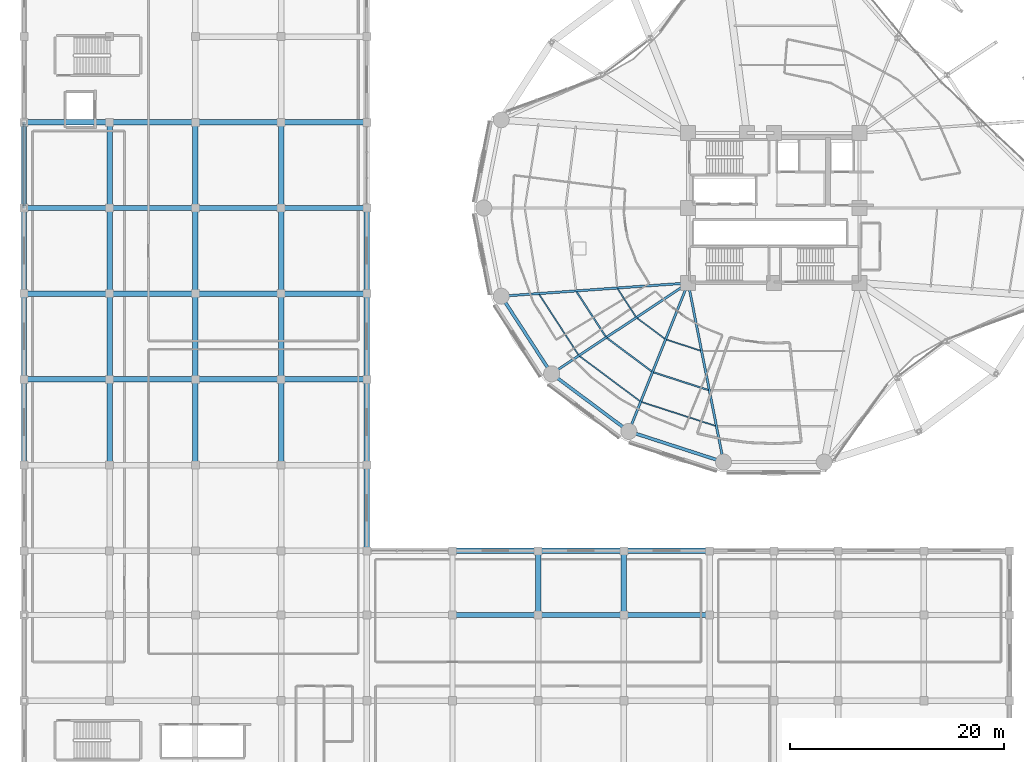
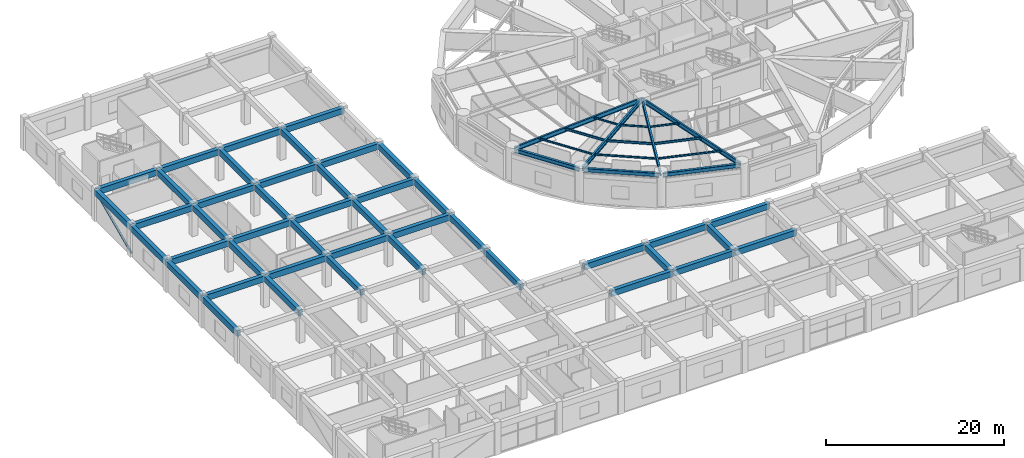
# One storey, part 11 of 53: 60 beams, 1 member.
"""IFC4 building model written with IfcOpenShell, lengths in metres."""

from ifc_helpers import new_model, si_unit, direction, frame, origin, origin_2d, place, context, subcontext, project, spatial, rectangle, hollow_circle, i_section, extrude, material, material_profile, profile_set, type_object, element, save


model = new_model("IFC4")

# Units and contexts
model_context = context("Model", 3, precision=1e-05, world=origin(), true_north=direction((0.0, 1.0)))
body_context = subcontext(model_context, "Body", "Model", "MODEL_VIEW")
ifc_project = project(units=[si_unit("LENGTHUNIT", "METRE"), si_unit("AREAUNIT", "SQUARE_METRE"), si_unit("VOLUMEUNIT", "CUBIC_METRE"), si_unit("PLANEANGLEUNIT", "RADIAN"), si_unit("MASSUNIT", "GRAM", prefix="KILO")], contexts=[model_context])

# Site, building, storey
site_placement = place(None, origin())
site = spatial("IfcSite", under=ifc_project, at=site_placement, CompositionType="ELEMENT")
building_placement = place(site_placement, origin())
building = spatial("IfcBuilding", under=site, at=building_placement, Name="Kelanora Arch Commons", CompositionType="ELEMENT")
storey_placement = place(building_placement, frame((0.0, 0.0, 9.0)))
storey = spatial("IfcBuildingStorey", under=building, at=storey_placement, Name="L02", CompositionType="ELEMENT", Elevation=9.0)

# Beams
ifc_material_1 = material(Name="Steel S355", Category="steel")
ifc_material_profile_1 = material_profile(ifc_material_1, i_section(OverallWidth=0.14990234375, OverallDepth=0.300048828125, WebThickness=0.007080078125, FlangeThickness=0.0107421875, FilletRadius=0.014892578125, at=origin_2d()), Name="IPE300")
ifc_profile_set_1 = profile_set([ifc_material_profile_1], Name="Steel S355")
beam_type_1 = type_object("IfcBeamType", Name="BM-JST-01", PredefinedType="JOIST", material=ifc_profile_set_1)
beam_1_placement = place(storey_placement, frame((55.578125, 50.187255859375, 3.949951171875), z_axis=(0.544551588245, -0.838727350061, 0.0), x_axis=(0.838727350061, 0.544551588245, 0.0)))
element("IfcBeam", 1, at=beam_1_placement, inside=storey, type_object=beam_type_1, Name="Secondary Chord Joist BJB-20 L02", PredefinedType="JOIST", context=body_context, shape_type="SweptSolid", body=[
    extrude(i_section(OverallWidth=0.14990234375, OverallDepth=0.300048828125, WebThickness=0.007080078125, FlangeThickness=0.0107421875, FilletRadius=0.014892578125, at=origin_2d()), origin(), (0.0, 0.0, 1.0), 5.010986328125),
])
beam_2_placement = place(storey_placement, frame((58.42138671875, 45.8623046875, 3.949951171875), z_axis=(0.801478251559, -0.598023922831, 0.0), x_axis=(0.598023922831, 0.801478251559, 0.0)))
element("IfcBeam", 2, at=beam_2_placement, inside=storey, type_object=beam_type_1, Name="Secondary Chord Joist BJB-22 L02", PredefinedType="JOIST", context=body_context, shape_type="SweptSolid", body=[
    extrude(i_section(OverallWidth=0.14990234375, OverallDepth=0.300048828125, WebThickness=0.007080078125, FlangeThickness=0.0107421875, FilletRadius=0.014892578125, at=origin_2d()), origin(), (0.0, 0.0, 1.0), 5.223388671875),
])
beam_3_placement = place(storey_placement, frame((62.7568359375, 42.66162109375, 3.949951171875), z_axis=(0.951412209627, -0.307920131482, 0.0), x_axis=(0.307920131482, 0.951412209627, 0.0)))
element("IfcBeam", 3, at=beam_3_placement, inside=storey, type_object=beam_type_1, Name="Secondary Chord Joist BJB-24 L02", PredefinedType="JOIST", context=body_context, shape_type="SweptSolid", body=[
    extrude(i_section(OverallWidth=0.14990234375, OverallDepth=0.300048828125, WebThickness=0.007080078125, FlangeThickness=0.0107421875, FilletRadius=0.014892578125, at=origin_2d()), origin(), (0.0, 0.0, 1.0), 5.4033203125),
])
ifc_material_profile_2 = material_profile(ifc_material_1, i_section(OverallWidth=0.1201171875, OverallDepth=0.239990234375, WebThickness=0.006103515625, FlangeThickness=0.009765625, FilletRadius=0.014892578125, at=origin_2d()), Name="IPE240")
ifc_profile_set_2 = profile_set([ifc_material_profile_2], Name="Steel S355")
beam_type_2 = type_object("IfcBeamType", Name="BM-JST-02", PredefinedType="JOIST", material=ifc_profile_set_2)
beam_4_placement = place(storey_placement, frame((59.41650390625, 50.458984375, 3.97998046875), z_axis=(0.544591105858, -0.838701691557, 0.0), x_axis=(0.838701691557, 0.544591105858, 0.0)))
element("IfcBeam", 4, at=beam_4_placement, inside=storey, type_object=beam_type_2, Name="Secondary Chord Joist BJA-20 L02", PredefinedType="JOIST", context=body_context, shape_type="SweptSolid", body=[
    extrude(i_section(OverallWidth=0.1201171875, OverallDepth=0.239990234375, WebThickness=0.006103515625, FlangeThickness=0.009765625, FilletRadius=0.014892578125, at=origin_2d()), origin(), (0.0, 0.0, 1.0), 3.111328125),
])
beam_5_placement = place(storey_placement, frame((52.0888671875, 49.940185546875, 3.97998046875), z_axis=(0.544550165372, -0.838728273873, 0.0), x_axis=(0.838728273873, 0.544550165372, 0.0)))
element("IfcBeam", 5, at=beam_5_placement, inside=storey, type_object=beam_type_2, Name="Secondary Chord Joist BJC-20 L02", PredefinedType="JOIST", context=body_context, shape_type="SweptSolid", body=[
    extrude(i_section(OverallWidth=0.1201171875, OverallDepth=0.239990234375, WebThickness=0.006103515625, FlangeThickness=0.009765625, FilletRadius=0.014892578125, at=origin_2d()), origin(), (0.0, 0.0, 1.0), 6.738037109375),
])
beam_6_placement = place(storey_placement, frame((61.22509765625, 47.727294921875, 3.97998046875), z_axis=(0.801513822608, -0.59797624716, 0.0), x_axis=(0.59797624716, 0.801513822608, 0.0)))
element("IfcBeam", 6, at=beam_6_placement, inside=storey, type_object=beam_type_2, Name="Secondary Chord Joist BJA-22 L02", PredefinedType="JOIST", context=body_context, shape_type="SweptSolid", body=[
    extrude(i_section(OverallWidth=0.1201171875, OverallDepth=0.239990234375, WebThickness=0.006103515625, FlangeThickness=0.009765625, FilletRadius=0.014892578125, at=origin_2d()), origin(), (0.0, 0.0, 1.0), 3.245849609375),
])
beam_7_placement = place(storey_placement, frame((55.87255859375, 44.16650390625, 3.97998046875), z_axis=(0.80149131963, -0.598006408459, 0.0), x_axis=(0.598006408459, 0.80149131963, 0.0)))
element("IfcBeam", 7, at=beam_7_placement, inside=storey, type_object=beam_type_2, Name="Secondary Chord Joist BJC-22 L02", PredefinedType="JOIST", context=body_context, shape_type="SweptSolid", body=[
    extrude(i_section(OverallWidth=0.1201171875, OverallDepth=0.239990234375, WebThickness=0.006103515625, FlangeThickness=0.009765625, FilletRadius=0.014892578125, at=origin_2d()), origin(), (0.0, 0.0, 1.0), 7.021240234375),
])
beam_8_placement = place(storey_placement, frame((63.9755859375, 45.709228515625, 3.97998046875), z_axis=(0.951422608074, -0.30788800049, 0.0), x_axis=(0.30788800049, 0.951422608074, 0.0)))
element("IfcBeam", 8, at=beam_8_placement, inside=storey, type_object=beam_type_2, Name="Secondary Chord Joist BJA-24 L02", PredefinedType="JOIST", context=body_context, shape_type="SweptSolid", body=[
    extrude(i_section(OverallWidth=0.1201171875, OverallDepth=0.239990234375, WebThickness=0.006103515625, FlangeThickness=0.009765625, FilletRadius=0.014892578125, at=origin_2d()), origin(), (0.0, 0.0, 1.0), 3.359619140625),
])
beam_9_placement = place(storey_placement, frame((61.64892578125, 39.890625, 3.97998046875), z_axis=(0.951410915705, -0.307924129418, 0.0), x_axis=(0.307924129418, 0.951410915705, 0.0)))
element("IfcBeam", 9, at=beam_9_placement, inside=storey, type_object=beam_type_2, Name="Secondary Chord Joist BJC-24 L02", PredefinedType="JOIST", context=body_context, shape_type="SweptSolid", body=[
    extrude(i_section(OverallWidth=0.1201171875, OverallDepth=0.239990234375, WebThickness=0.006103515625, FlangeThickness=0.009765625, FilletRadius=0.014892578125, at=origin_2d()), origin(), (0.0, 0.0, 1.0), 7.260986328125),
])
ifc_material_2 = material(Name="Concrete C40/50", Category="concrete")
ifc_material_profile_3 = material_profile(ifc_material_2, rectangle(XDim=0.5, YDim=0.800048828125, at=origin_2d()), Name="RCB500x800")
ifc_profile_set_3 = profile_set([ifc_material_profile_3], Name="Concrete C40/50")
beam_type_3 = type_object("IfcBeamType", Name="BM-MKT-RC1", PredefinedType="BEAM", material=ifc_profile_set_3)
for number, where, z_axis, x_axis, name in (
    (10, (4.0, 34.0, 3.840087890625), (0.0, 1.0, 0.0), (-1.0, 0.0, 0.0), "Market/Basement Frame Beam 010 L02"),
    (11, (4.0, 42.0, 3.840087890625), (1.0, 0.0, 0.0), (0.0, 1.0, 0.0), "Market/Basement Frame Beam 011 L02"),
    (12, (4.0, 42.0, 3.840087890625), (0.0, 1.0, 0.0), (-1.0, 0.0, 0.0), "Market/Basement Frame Beam 012 L02"),
    (13, (4.0, 50.0, 3.840087890625), (1.0, 0.0, 0.0), (0.0, 1.0, 0.0), "Market/Basement Frame Beam 013 L02"),
    (14, (4.0, 50.0, 3.840087890625), (0.0, 1.0, 0.0), (-1.0, 0.0, 0.0), "Market/Basement Frame Beam 014 L02"),
    (15, (4.0, 58.0, 3.840087890625), (1.0, 0.0, 0.0), (0.0, 1.0, 0.0), "Market/Basement Frame Beam 015 L02"),
    (16, (4.0, 58.0, 3.840087890625), (0.0, 1.0, 0.0), (-1.0, 0.0, 0.0), "Market/Basement Frame Beam 016 L02"),
    (17, (4.0, 66.0, 3.840087890625), (1.0, 0.0, 0.0), (0.0, 1.0, 0.0), "Market/Basement Frame Beam 017 L02"),
    (18, (12.0, 34.0, 3.840087890625), (0.0, 1.0, 0.0), (-1.0, 0.0, 0.0), "Market/Basement Frame Beam 029 L02"),
    (19, (12.0, 42.0, 3.840087890625), (1.0, 0.0, 0.0), (0.0, 1.0, 0.0), "Market/Basement Frame Beam 030 L02"),
    (20, (12.0, 42.0, 3.840087890625), (0.0, 1.0, 0.0), (-1.0, 0.0, 0.0), "Market/Basement Frame Beam 031 L02"),
    (21, (12.0, 50.0, 3.840087890625), (1.0, 0.0, 0.0), (0.0, 1.0, 0.0), "Market/Basement Frame Beam 032 L02"),
    (22, (12.0, 50.0, 3.840087890625), (0.0, 1.0, 0.0), (-1.0, 0.0, 0.0), "Market/Basement Frame Beam 033 L02"),
    (23, (12.0, 58.0, 3.840087890625), (1.0, 0.0, 0.0), (0.0, 1.0, 0.0), "Market/Basement Frame Beam 034 L02"),
    (24, (12.0, 58.0, 3.840087890625), (0.0, 1.0, 0.0), (-1.0, 0.0, 0.0), "Market/Basement Frame Beam 035 L02"),
    (25, (12.0, 66.0, 3.840087890625), (1.0, 0.0, 0.0), (0.0, 1.0, 0.0), "Market/Basement Frame Beam 036 L02"),
    (26, (20.0, 34.0, 3.840087890625), (0.0, 1.0, 0.0), (-1.0, 0.0, 0.0), "Market/Basement Frame Beam 047 L02"),
    (27, (20.0, 42.0, 3.840087890625), (1.0, 0.0, 0.0), (0.0, 1.0, 0.0), "Market/Basement Frame Beam 048 L02"),
    (28, (20.0, 42.0, 3.840087890625), (0.0, 1.0, 0.0), (-1.0, 0.0, 0.0), "Market/Basement Frame Beam 049 L02"),
    (29, (20.0, 50.0, 3.840087890625), (1.0, 0.0, 0.0), (0.0, 1.0, 0.0), "Market/Basement Frame Beam 050 L02"),
    (30, (20.0, 50.0, 3.840087890625), (0.0, 1.0, 0.0), (-1.0, 0.0, 0.0), "Market/Basement Frame Beam 051 L02"),
    (31, (20.0, 58.0, 3.840087890625), (1.0, 0.0, 0.0), (0.0, 1.0, 0.0), "Market/Basement Frame Beam 052 L02"),
    (32, (20.0, 58.0, 3.840087890625), (0.0, 1.0, 0.0), (-1.0, 0.0, 0.0), "Market/Basement Frame Beam 053 L02"),
    (33, (20.0, 66.0, 3.840087890625), (1.0, 0.0, 0.0), (0.0, 1.0, 0.0), "Market/Basement Frame Beam 054 L02"),
    (34, (28.0, 34.0, 3.840087890625), (0.0, 1.0, 0.0), (-1.0, 0.0, 0.0), "Market/Basement Frame Beam 068 L02"),
    (35, (28.0, 42.0, 3.840087890625), (1.0, 0.0, 0.0), (0.0, 1.0, 0.0), "Market/Basement Frame Beam 069 L02"),
    (36, (28.0, 42.0, 3.840087890625), (0.0, 1.0, 0.0), (-1.0, 0.0, 0.0), "Market/Basement Frame Beam 070 L02"),
    (37, (28.0, 50.0, 3.840087890625), (1.0, 0.0, 0.0), (0.0, 1.0, 0.0), "Market/Basement Frame Beam 071 L02"),
    (38, (28.0, 50.0, 3.840087890625), (0.0, 1.0, 0.0), (-1.0, 0.0, 0.0), "Market/Basement Frame Beam 072 L02"),
    (39, (28.0, 58.0, 3.840087890625), (1.0, 0.0, 0.0), (0.0, 1.0, 0.0), "Market/Basement Frame Beam 073 L02"),
    (40, (28.0, 58.0, 3.840087890625), (0.0, 1.0, 0.0), (-1.0, 0.0, 0.0), "Market/Basement Frame Beam 074 L02"),
    (41, (28.0, 66.0, 3.840087890625), (1.0, 0.0, 0.0), (0.0, 1.0, 0.0), "Market/Basement Frame Beam 075 L02"),
    (42, (36.0, 26.0, 3.840087890625), (0.0, 1.0, 0.0), (-1.0, 0.0, 0.0), "Market/Basement Frame Beam 087 L02"),
    (43, (36.0, 34.0, 3.840087890625), (0.0, 1.0, 0.0), (-1.0, 0.0, 0.0), "Market/Basement Frame Beam 088 L02"),
    (44, (36.0, 42.0, 3.840087890625), (0.0, 1.0, 0.0), (-1.0, 0.0, 0.0), "Market/Basement Frame Beam 089 L02"),
    (45, (36.0, 50.0, 3.840087890625), (0.0, 1.0, 0.0), (-1.0, 0.0, 0.0), "Market/Basement Frame Beam 090 L02"),
    (46, (44.0, 20.0, 3.840087890625), (1.0, 0.0, 0.0), (0.0, 1.0, 0.0), "Market/Basement Frame Beam 098 L02"),
    (47, (44.0, 26.0, 3.840087890625), (1.0, 0.0, 0.0), (0.0, 1.0, 0.0), "Market/Basement Frame Beam 100 L02"),
    (48, (52.0, 20.0, 3.840087890625), (1.0, 0.0, 0.0), (0.0, 1.0, 0.0), "Market/Basement Frame Beam 105 L02"),
):
    element("IfcBeam", number, at=place(storey_placement, frame(where, z_axis=z_axis, x_axis=x_axis)), inside=storey, type_object=beam_type_3, Name=name, PredefinedType="BEAM", context=body_context, shape_type="SweptSolid", body=[
        extrude(rectangle(XDim=0.5, YDim=0.800048828125, at=origin_2d()), origin(), (0.0, 0.0, 1.0), 8.0),
    ])
beam_10_placement = place(storey_placement, frame((52.0, 20.0, 3.840087890625), z_axis=(0.0, 1.0, 0.0), x_axis=(-1.0, 0.0, 0.0)))
element("IfcBeam", 49, at=beam_10_placement, inside=storey, type_object=beam_type_3, Name="Market/Basement Frame Beam 106 L02", PredefinedType="BEAM", context=body_context, shape_type="SweptSolid", body=[
    extrude(rectangle(XDim=0.5, YDim=0.800048828125, at=origin_2d()), origin(), (0.0, 0.0, 1.0), 6.0),
])
for number, where, z_axis, x_axis, name in (
    (50, (52.0, 26.0, 3.840087890625), (1.0, 0.0, 0.0), (0.0, 1.0, 0.0), "Market/Basement Frame Beam 107 L02"),
    (51, (60.0, 20.0, 3.840087890625), (1.0, 0.0, 0.0), (0.0, 1.0, 0.0), "Market/Basement Frame Beam 112 L02"),
):
    element("IfcBeam", number, at=place(storey_placement, frame(where, z_axis=z_axis, x_axis=x_axis)), inside=storey, type_object=beam_type_3, Name=name, PredefinedType="BEAM", context=body_context, shape_type="SweptSolid", body=[
        extrude(rectangle(XDim=0.5, YDim=0.800048828125, at=origin_2d()), origin(), (0.0, 0.0, 1.0), 8.0),
    ])
beam_11_placement = place(storey_placement, frame((60.0, 20.0, 3.840087890625), z_axis=(0.0, 1.0, 0.0), x_axis=(-1.0, 0.0, 0.0)))
element("IfcBeam", 52, at=beam_11_placement, inside=storey, type_object=beam_type_3, Name="Market/Basement Frame Beam 113 L02", PredefinedType="BEAM", context=body_context, shape_type="SweptSolid", body=[
    extrude(rectangle(XDim=0.5, YDim=0.800048828125, at=origin_2d()), origin(), (0.0, 0.0, 1.0), 6.0),
])
beam_12_placement = place(storey_placement, frame((60.0, 26.0, 3.840087890625), z_axis=(1.0, 0.0, 0.0), x_axis=(0.0, 1.0, 0.0)))
element("IfcBeam", 53, at=beam_12_placement, inside=storey, type_object=beam_type_3, Name="Market/Basement Frame Beam 114 L02", PredefinedType="BEAM", context=body_context, shape_type="SweptSolid", body=[
    extrude(rectangle(XDim=0.5, YDim=0.800048828125, at=origin_2d()), origin(), (0.0, 0.0, 1.0), 8.0),
])
ifc_material_profile_4 = material_profile(ifc_material_1, i_section(OverallWidth=0.219970703125, OverallDepth=0.60009765625, WebThickness=0.011962890625, FlangeThickness=0.01904296875, FilletRadius=0.02392578125, at=origin_2d()), Name="IPE600")
ifc_profile_set_4 = profile_set([ifc_material_profile_4], Name="Steel S355")
beam_type_4 = type_object("IfcBeamType", Name="BM-RAD-Z1", PredefinedType="BEAM", material=ifc_profile_set_4)
beam_13_placement = place(storey_placement, frame((66.0, 51.0, 3.800048828125), z_axis=(-0.997500932078, -0.070653312055, 0.0), x_axis=(0.070653312055, -0.997500932078, 0.0)))
element("IfcBeam", 54, at=beam_13_placement, inside=storey, type_object=beam_type_4, Name="Radial Floor Girder BR-20 L02", PredefinedType="BEAM", context=body_context, shape_type="SweptSolid", body=[
    extrude(i_section(OverallWidth=0.219970703125, OverallDepth=0.60009765625, WebThickness=0.011962890625, FlangeThickness=0.01904296875, FilletRadius=0.02392578125, at=origin_2d()), origin(), (0.0, 0.0, 1.0), 17.2705078125),
])
beam_14_placement = place(storey_placement, frame((66.0, 51.0, 3.800048828125), z_axis=(-0.832592623638, -0.553885839379, 0.0), x_axis=(0.553885839379, -0.832592623638, 0.0)))
element("IfcBeam", 55, at=beam_14_placement, inside=storey, type_object=beam_type_4, Name="Radial Floor Girder BR-22 L02", PredefinedType="BEAM", context=body_context, shape_type="SweptSolid", body=[
    extrude(i_section(OverallWidth=0.219970703125, OverallDepth=0.60009765625, WebThickness=0.011962890625, FlangeThickness=0.01904296875, FilletRadius=0.02392578125, at=origin_2d()), origin(), (0.0, 0.0, 1.0), 15.0869140625),
])
beam_15_placement = place(storey_placement, frame((66.0, 51.0, 3.800048828125), z_axis=(-0.371296182896, -0.928514482691, 0.0), x_axis=(0.928514482691, -0.371296182896, 0.0)))
element("IfcBeam", 56, at=beam_15_placement, inside=storey, type_object=beam_type_4, Name="Radial Floor Girder BR-24 L02", PredefinedType="BEAM", context=body_context, shape_type="SweptSolid", body=[
    extrude(i_section(OverallWidth=0.219970703125, OverallDepth=0.60009765625, WebThickness=0.011962890625, FlangeThickness=0.01904296875, FilletRadius=0.02392578125, at=origin_2d()), origin(), (0.0, 0.0, 1.0), 14.700439453125),
])
beam_16_placement = place(storey_placement, frame((66.0, 51.0, 3.800048828125), z_axis=(0.193555256292, -0.981089375522, 0.0), x_axis=(0.981089375522, 0.193555256292, 0.0)))
element("IfcBeam", 57, at=beam_16_placement, inside=storey, type_object=beam_type_4, Name="Radial Floor Girder BR-26 L02", PredefinedType="BEAM", context=body_context, shape_type="SweptSolid", body=[
    extrude(i_section(OverallWidth=0.219970703125, OverallDepth=0.60009765625, WebThickness=0.011962890625, FlangeThickness=0.01904296875, FilletRadius=0.02392578125, at=origin_2d()), origin(), (0.0, 0.0, 1.0), 16.81640625),
])
ifc_material_profile_5 = material_profile(ifc_material_1, i_section(OverallWidth=0.300048828125, OverallDepth=0.60009765625, WebThickness=0.015380859375, FlangeThickness=0.030029296875, FilletRadius=0.027099609375, at=origin_2d()), Name="HEB600")
ifc_profile_set_5 = profile_set([ifc_material_profile_5], Name="Steel S355")
beam_type_5 = type_object("IfcBeamType", Name="BM-SPN-Z1", PredefinedType="SPANDREL", material=ifc_profile_set_5)
beam_17_placement = place(storey_placement, frame((48.6728515625, 49.57958984375, 3.800048828125), z_axis=(0.544580949539, -0.838708286235, 0.0), x_axis=(0.838708286235, 0.544580949539, 0.0)))
element("IfcBeam", 58, at=beam_17_placement, inside=storey, type_object=beam_type_5, Name="Perimeter Spandrel Beam BS-20 L02", PredefinedType="SPANDREL", context=body_context, shape_type="SweptSolid", body=[
    extrude(i_section(OverallWidth=0.300048828125, OverallDepth=0.60009765625, WebThickness=0.015380859375, FlangeThickness=0.030029296875, FilletRadius=0.027099609375, at=origin_2d()), origin(), (0.0, 0.0, 1.0), 8.195068359375),
])
beam_18_placement = place(storey_placement, frame((53.431884765625, 42.39013671875, 3.800048828125), z_axis=(0.801474585329, -0.598028836322, 0.0), x_axis=(0.598028836322, 0.801474585329, 0.0)))
element("IfcBeam", 59, at=beam_18_placement, inside=storey, type_object=beam_type_5, Name="Perimeter Spandrel Beam BS-22 L02", PredefinedType="SPANDREL", context=body_context, shape_type="SweptSolid", body=[
    extrude(i_section(OverallWidth=0.300048828125, OverallDepth=0.60009765625, WebThickness=0.015380859375, FlangeThickness=0.030029296875, FilletRadius=0.027099609375, at=origin_2d()), origin(), (0.0, 0.0, 1.0), 8.549072265625),
])
beam_19_placement = place(storey_placement, frame((60.669189453125, 37.078369140625, 3.800048828125), z_axis=(0.951411479564, -0.307922387224, 0.0), x_axis=(0.307922387224, 0.951411479564, 0.0)))
element("IfcBeam", 60, at=beam_19_placement, inside=storey, type_object=beam_type_5, Name="Perimeter Spandrel Beam BS-24 L02", PredefinedType="SPANDREL", context=body_context, shape_type="SweptSolid", body=[
    extrude(i_section(OverallWidth=0.300048828125, OverallDepth=0.60009765625, WebThickness=0.015380859375, FlangeThickness=0.030029296875, FilletRadius=0.027099609375, at=origin_2d()), origin(), (0.0, 0.0, 1.0), 8.84912109375),
])

# Member
ifc_material_profile_6 = material_profile(ifc_material_1, hollow_circle(Radius=0.136474609375, WallThickness=0.012451171875, at=origin_2d()), Name="CHS273x12.5")
ifc_profile_set_6 = profile_set([ifc_material_profile_6], Name="Steel S355")
member_type = type_object("IfcMemberType", Name="MEM-MKT-BRACE", PredefinedType="BRACE", material=ifc_profile_set_6)
member_placement = place(storey_placement, frame((4.0, 58.0, 0.25), z_axis=(0.0, 0.91191733938, 0.410373934525), x_axis=(-1.0, 0.0, 0.0)))
element("IfcMember", 61, at=member_placement, inside=storey, type_object=member_type, Name="Market Hall Lateral Brace 04 L02", PredefinedType="BRACE", context=body_context, shape_type="SweptSolid", body=[
    extrude(hollow_circle(Radius=0.136474609375, WallThickness=0.012451171875, at=origin_2d()), origin(), (0.0, 0.0, 1.0), 8.772705078125),
])

save(model, "model.ifc")
